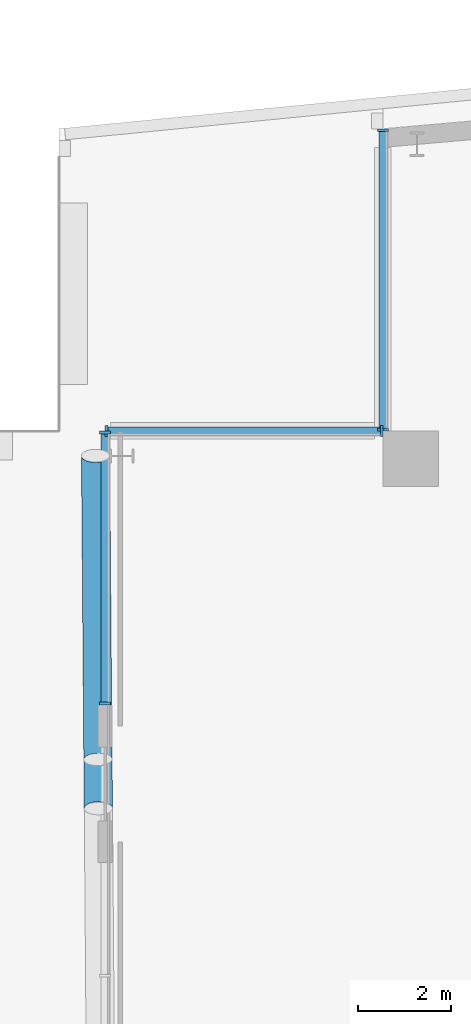
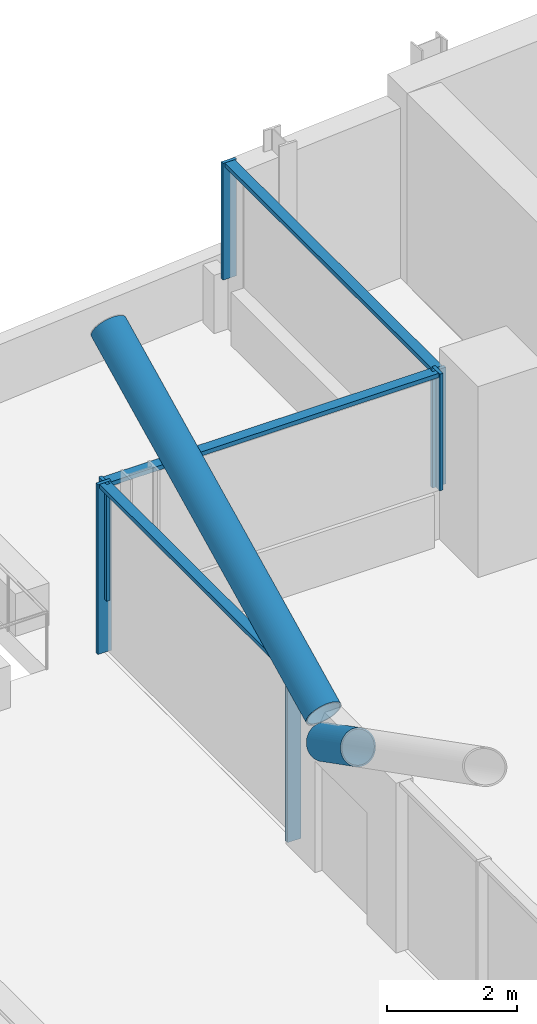
# One storey, part 7 of 27: 11 members, 3 elements without a shape of their own.
"""IFC4 building model written with IfcOpenShell, lengths in metres."""

from ifc_helpers import new_model, si_unit, direction, frame, origin, origin_2d, place, context, subcontext, project, spatial, rectangle, hollow_circle, extrude, material, material_profile, profile_set, type_object, element, aggregate, save


model = new_model("IFC4")

# Units and contexts
model_context = context("Model", 3, precision=1e-05, world=origin(), true_north=direction((0.0, 1.0)))
body_context = subcontext(model_context, "Body", "Model", "MODEL_VIEW")
ifc_project = project(units=[si_unit("LENGTHUNIT", "METRE"), si_unit("AREAUNIT", "SQUARE_METRE"), si_unit("VOLUMEUNIT", "CUBIC_METRE"), si_unit("PLANEANGLEUNIT", "RADIAN"), si_unit("MASSUNIT", "GRAM", prefix="KILO")], contexts=[model_context])

# Site, building, storey
site_placement = place(None, origin())
site = spatial("IfcSite", under=ifc_project, at=site_placement, CompositionType="ELEMENT")
building_placement = place(site_placement, origin())
building = spatial("IfcBuilding", under=site, at=building_placement, Name="Wharfspan Tower", CompositionType="ELEMENT")
storey_placement = place(building_placement, frame((0.0, 0.0, 207.100098)))
storey = spatial("IfcBuildingStorey", under=building, at=storey_placement, Name="L51", CompositionType="ELEMENT", Elevation=207.100098)

# Member
ifc_material_1 = material(Name="Steel S460NH", Category="steel")
ifc_material_profile_1 = material_profile(ifc_material_1, hollow_circle(Radius=0.304932, WallThickness=0.024902, at=origin_2d()))
ifc_profile_set_1 = profile_set([ifc_material_profile_1], Name="Steel S460NH")
member_type_1 = type_object("IfcMemberType", Name="Brace node tie CHS 610x25", PredefinedType="STRUT", material=ifc_profile_set_1)
member_1_placement = place(storey_placement, frame((13.844971, 34.901611, 2.634521), z_axis=(0.007089, -0.89134, 0.45328), x_axis=(0.999971, 0.007955, 4e-06)))
element("IfcMember", 1, at=member_1_placement, inside=storey, type_object=member_type_1, Name="Brace node tie L51 W3", PredefinedType="STRUT", context=body_context, shape_type="SweptSolid", body=[
    extrude(hollow_circle(Radius=0.304932, WallThickness=0.024902, at=origin_2d()), origin(), (0.0, 0.0, 1.0), 1.170898),
])

# Curtain wall, members
ifc_material_2 = material(Name="Aluminium 6063-T6", Category="aluminium")
curtain_wall_type = type_object("IfcCurtainWallType", Name="CURTAIN WALL PROW AND END", PredefinedType="NOTDEFINED", material=ifc_material_2)
curtain_wall_1_placement = place(storey_placement, origin())
curtain_wall_1 = element("IfcCurtainWall", 2, at=curtain_wall_1_placement, inside=storey, type_object=curtain_wall_type, Name="Curtain wall NRW-V", PredefinedType="NOTDEFINED")
ifc_material_profile_2 = material_profile(ifc_material_2, rectangle(XDim=0.23999, YDim=0.060059, at=origin_2d()))
ifc_profile_set_2 = profile_set([ifc_material_profile_2], Name="Aluminium 6063-T6")
member_type_2 = type_object("IfcMemberType", Name="MULLION PROW AND END 60x240", PredefinedType="MULLION", material=ifc_profile_set_2)
member_2_placement = place(storey_placement, frame((20.0, 48.494873, 1.0), z_axis=(0.0, 0.0, 1.0), x_axis=(1.0, 0.0, 0.0)))
member_2 = element("IfcMember", 3, at=member_2_placement, type_object=member_type_2, Name="Curtain wall NRW-V mullion 1", PredefinedType="MULLION", context=body_context, shape_type="SweptSolid", body=[
    extrude(rectangle(XDim=0.23999, YDim=0.060059, at=origin_2d()), origin(), (0.0, 0.0, 1.0), 2.199951),
])
member_3_placement = place(storey_placement, frame((20.0, 42.030029, 1.0), z_axis=(0.0, 0.0, 1.0), x_axis=(1.0, 0.0, 0.0)))
member_3 = element("IfcMember", 4, at=member_3_placement, type_object=member_type_2, Name="Curtain wall NRW-V mullion 2", PredefinedType="MULLION", context=body_context, shape_type="SweptSolid", body=[
    extrude(rectangle(XDim=0.23999, YDim=0.060059, at=origin_2d()), origin(), (0.0, 0.0, 1.0), 2.199951),
])

curtain_wall_2_placement = place(storey_placement, origin())
curtain_wall_2 = element("IfcCurtainWall", 5, at=curtain_wall_2_placement, inside=storey, type_object=curtain_wall_type, Name="Curtain wall NRW-H", PredefinedType="NOTDEFINED")
member_4_placement = place(storey_placement, frame((19.969971, 42.0, 1.0), z_axis=(0.0, 0.0, 1.0), x_axis=(0.0, -1.0, 0.0)))
member_4 = element("IfcMember", 6, at=member_4_placement, type_object=member_type_2, Name="Curtain wall NRW-H mullion 1", PredefinedType="MULLION", context=body_context, shape_type="SweptSolid", body=[
    extrude(rectangle(XDim=0.23999, YDim=0.060059, at=origin_2d()), origin(), (0.0, 0.0, 1.0), 2.199951),
])
member_5_placement = place(storey_placement, frame((14.030029, 42.0, 1.0), z_axis=(0.0, 0.0, 1.0), x_axis=(0.0, -1.0, 0.0)))
member_5 = element("IfcMember", 7, at=member_5_placement, type_object=member_type_2, Name="Curtain wall NRW-H mullion 2", PredefinedType="MULLION", context=body_context, shape_type="SweptSolid", body=[
    extrude(rectangle(XDim=0.23999, YDim=0.060059, at=origin_2d()), origin(), (0.0, 0.0, 1.0), 2.199951),
])

curtain_wall_3_placement = place(storey_placement, origin())
curtain_wall_3 = element("IfcCurtainWall", 8, at=curtain_wall_3_placement, inside=storey, type_object=curtain_wall_type, Name="Curtain wall W", PredefinedType="NOTDEFINED")
member_6_placement = place(storey_placement, frame((14.0, 41.969971, 0.0), z_axis=(0.0, 0.0, 1.0), x_axis=(1.0, 0.0, 0.0)))
member_6 = element("IfcMember", 9, at=member_6_placement, type_object=member_type_2, Name="Curtain wall W mullion 1", PredefinedType="MULLION", context=body_context, shape_type="SweptSolid", body=[
    extrude(rectangle(XDim=0.23999, YDim=0.060059, at=origin_2d()), origin(), (0.0, 0.0, 1.0), 3.199951),
])
member_7_placement = place(storey_placement, frame((14.0, 36.120117, 0.0), z_axis=(0.0, 0.0, 1.0), x_axis=(1.0, 0.0, 0.0)))
member_7 = element("IfcMember", 10, at=member_7_placement, type_object=member_type_2, Name="Curtain wall W mullion 2", PredefinedType="MULLION", context=body_context, shape_type="SweptSolid", body=[
    extrude(rectangle(XDim=0.23999, YDim=0.060059, at=origin_2d()), origin(), (0.0, 0.0, 1.0), 3.199951),
])

# Member
ifc_material_profile_3 = material_profile(ifc_material_1, hollow_circle(Radius=0.304932, WallThickness=0.024902, at=origin_2d()))
ifc_profile_set_3 = profile_set([ifc_material_profile_3], Name="Steel S460NH")
member_type_3 = type_object("IfcMemberType", Name="Mega brace CHS 610x25", PredefinedType="BRACE", material=ifc_profile_set_3)
member_8_placement = place(storey_placement, frame((13.844727, 34.910645, 3.169678), z_axis=(-0.007044, 0.891347, 0.453266), x_axis=(-0.999973, -0.007904, 3e-06)))
element("IfcMember", 11, at=member_8_placement, inside=storey, type_object=member_type_3, Name="Mega brace W3 L51 part 4", PredefinedType="BRACE", context=body_context, shape_type="SweptSolid", body=[
    extrude(hollow_circle(Radius=0.304932, WallThickness=0.024902, at=origin_2d()), origin(), (0.0, 0.0, 1.0), 7.347412),
])

ifc_material_profile_4 = material_profile(ifc_material_2, rectangle(XDim=0.179932, YDim=0.080078, at=origin_2d()))
ifc_profile_set_4 = profile_set([ifc_material_profile_4], Name="Aluminium 6063-T6")
member_type_4 = type_object("IfcMemberType", Name="TRANSOM PROW AND END 80x180", PredefinedType="USERDEFINED", material=ifc_profile_set_4)
member_9_placement = place(storey_placement, frame((20.0, 48.464844, 3.159912), z_axis=(0.0, -1.0, 0.0), x_axis=(1.0, 0.0, 0.0)))
member_9 = element("IfcMember", 12, at=member_9_placement, type_object=member_type_4, Name="Curtain wall NRW-V transom 1", ObjectType="TRANSOM", PredefinedType="USERDEFINED", context=body_context, shape_type="SweptSolid", body=[
    extrude(rectangle(XDim=0.179932, YDim=0.080078, at=origin_2d()), origin(), (0.0, 0.0, 1.0), 6.404785),
])

aggregate(curtain_wall_1, [member_2, member_3, member_9])

member_10_placement = place(storey_placement, frame((19.939941, 42.0, 3.159912), z_axis=(-1.0, 0.0, 0.0), x_axis=(0.0, -1.0, 0.0)))
member_10 = element("IfcMember", 13, at=member_10_placement, type_object=member_type_4, Name="Curtain wall NRW-H transom 1", ObjectType="TRANSOM", PredefinedType="USERDEFINED", context=body_context, shape_type="SweptSolid", body=[
    extrude(rectangle(XDim=0.179932, YDim=0.080078, at=origin_2d()), origin(), (0.0, 0.0, 1.0), 5.879883),
])

aggregate(curtain_wall_2, [member_4, member_5, member_10])

member_11_placement = place(storey_placement, frame((14.0, 41.939941, 3.159912), z_axis=(0.0, -1.0, 0.0), x_axis=(1.0, 0.0, 0.0)))
member_11 = element("IfcMember", 14, at=member_11_placement, type_object=member_type_4, Name="Curtain wall W transom 1", ObjectType="TRANSOM", PredefinedType="USERDEFINED", context=body_context, shape_type="SweptSolid", body=[
    extrude(rectangle(XDim=0.179932, YDim=0.080078, at=origin_2d()), origin(), (0.0, 0.0, 1.0), 5.790039),
])

aggregate(curtain_wall_3, [member_6, member_7, member_11])

save(model, "model.ifc")
